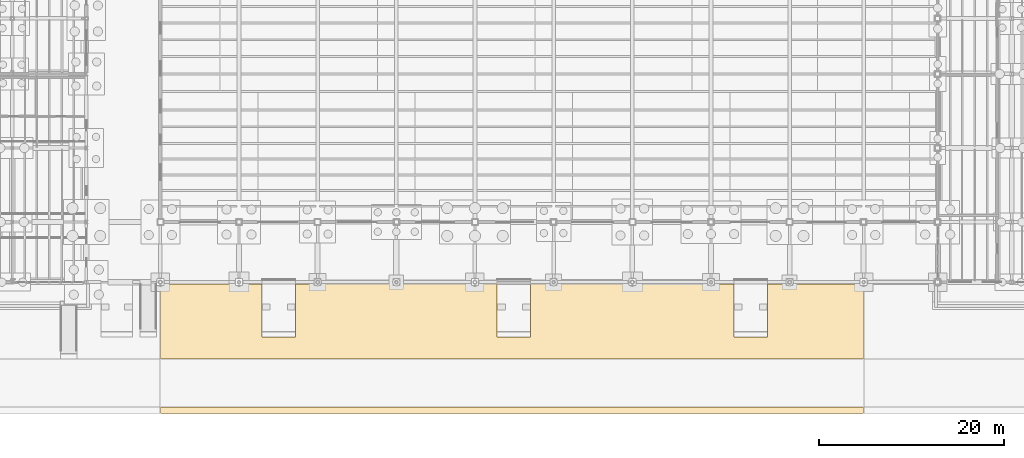
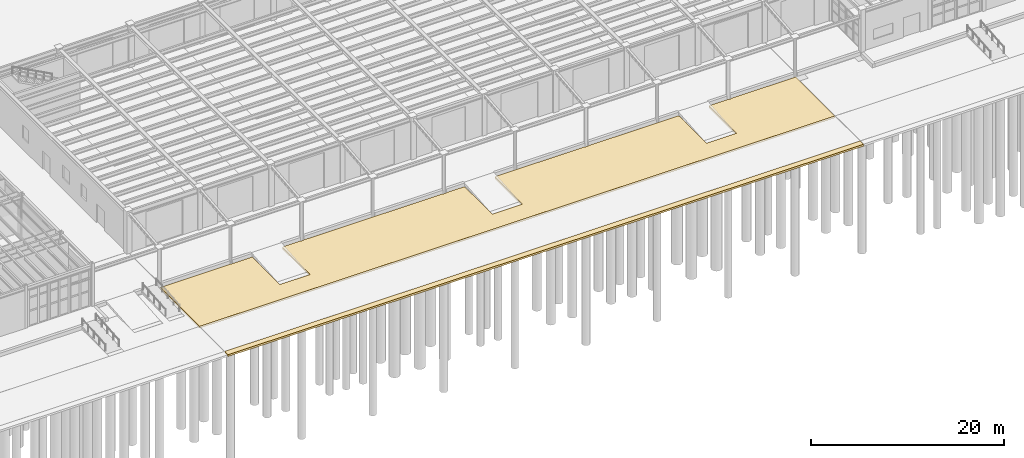
# One storey, part 79 of 86: 2 coverings.
"""IFC4 building model written with IfcOpenShell, lengths in metres."""

from ifc_helpers import new_model, si_unit, direction, frame, origin, place, context, subcontext, project, spatial, polyline, outline, extrude, material, layer, layer_set, type_object, element, save


model = new_model("IFC4")

# Units and contexts
model_context = context("Model", 3, precision=1e-05, world=origin(), true_north=direction((0.0, 1.0)))
body_context = subcontext(model_context, "Body", "Model", "MODEL_VIEW")
ifc_project = project(units=[si_unit("LENGTHUNIT", "METRE"), si_unit("AREAUNIT", "SQUARE_METRE"), si_unit("VOLUMEUNIT", "CUBIC_METRE"), si_unit("PLANEANGLEUNIT", "RADIAN"), si_unit("MASSUNIT", "GRAM", prefix="KILO"), si_unit("THERMODYNAMICTEMPERATUREUNIT", "KELVIN"), si_unit("POWERUNIT", "WATT")], contexts=[model_context])

# Site, building, storey
site_placement = place(None, origin())
site = spatial("IfcSite", under=ifc_project, at=site_placement, CompositionType="ELEMENT")
building_placement = place(site_placement, origin())
building = spatial("IfcBuilding", under=site, at=building_placement, Name="Zhenchuan Central Fire Station", CompositionType="ELEMENT")
storey_placement = place(building_placement, frame((0.0, 0.0, 0.449951171875)))
storey = spatial("IfcBuildingStorey", under=building, at=storey_placement, Name="L01", CompositionType="ELEMENT", Elevation=0.449951171875)

# Coverings
ifc_material = material(Name="Granite stone boulevard paving", Category="masonry")
ifc_layer = layer(ifc_material, 0.239990234375, Name="Granite stone boulevard paving", Category="masonry")
ifc_layer_set = layer_set([ifc_layer], Name="Granite stone boulevard paving")
covering_type = type_object("IfcCoveringType", Name="COV-SITE-PAV", PredefinedType="FLOORING", material=ifc_layer_set)
covering_1_placement = place(storey_placement, frame((0.0, 0.0, -0.68994140625)))
element("IfcCovering", 1, at=covering_1_placement, inside=storey, type_object=covering_type, Name="Zhenchuan Boulevard Grade Paving Zone C-05", PredefinedType="FLOORING", context=body_context, shape_type="SweptSolid", body=[
    extrude(outline(polyline([(131.97509765625, -8.2958984375), (56.02490234375, -8.2958984375), (56.02490234375, -0.209228515625), (56.209228515625, -0.209228515625), (56.209228515625, -0.169921875), (66.993896484375, -0.169921875), (66.993896484375, -5.906005859375), (70.60595703125, -5.906005859375), (70.60595703125, -0.169921875), (72.790771484375, -0.169921875), (72.790771484375, -0.209228515625), (73.209228515625, -0.209228515625), (73.209228515625, -0.169921875), (89.790771484375, -0.169921875), (89.790771484375, -0.209228515625), (90.209228515625, -0.209228515625), (90.209228515625, -0.169921875), (92.39404296875, -0.169921875), (92.39404296875, -5.906005859375), (96.006103515625, -5.906005859375), (96.006103515625, -0.169921875), (106.790771484375, -0.169921875), (106.790771484375, -0.209228515625), (107.209228515625, -0.209228515625), (107.209228515625, -0.169921875), (117.993896484375, -0.169921875), (117.993896484375, -5.906005859375), (121.60595703125, -5.906005859375), (121.60595703125, -0.169921875), (123.790771484375, -0.169921875), (123.790771484375, -0.209228515625), (124.209228515625, -0.209228515625), (124.209228515625, -0.169921875), (131.97509765625, -0.169921875), (131.97509765625, -8.2958984375)])), origin(), (0.0, 0.0, 1.0), 0.239990234375),
])
covering_2_placement = place(storey_placement, frame((0.0, 0.0, -0.68994140625)))
element("IfcCovering", 2, at=covering_2_placement, inside=storey, type_object=covering_type, Name="Zhenchuan Boulevard Grade Paving Zone C-07", PredefinedType="FLOORING", context=body_context, shape_type="SweptSolid", body=[
    extrude(outline(polyline([(131.97509765625, -14.199951171875), (56.02490234375, -14.199951171875), (56.02490234375, -13.50390625), (131.97509765625, -13.50390625), (131.97509765625, -14.199951171875)])), origin(), (0.0, 0.0, 1.0), 0.239990234375),
])

save(model, "model.ifc")
